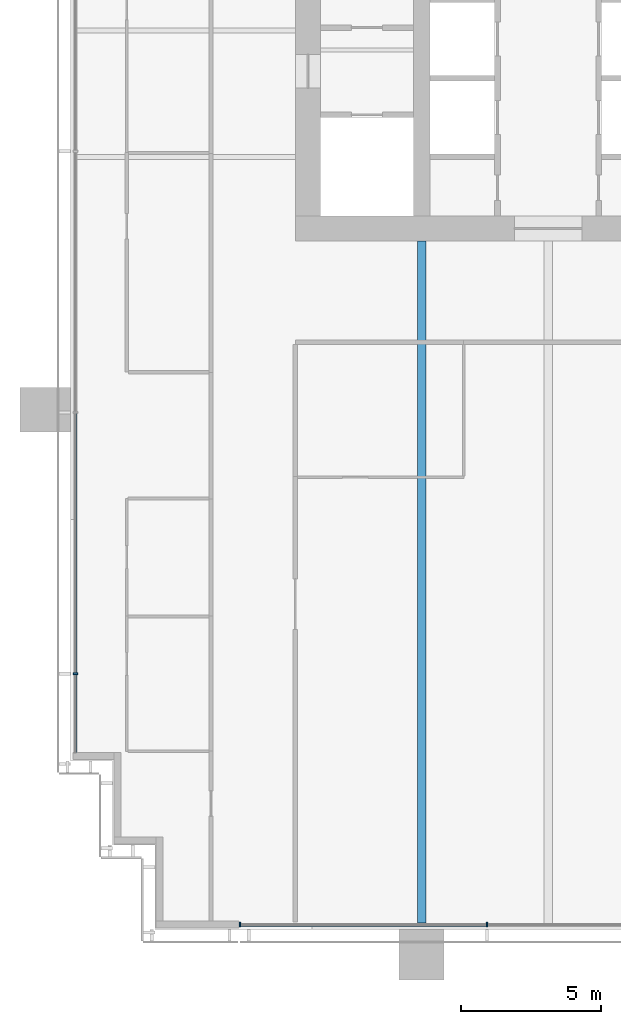
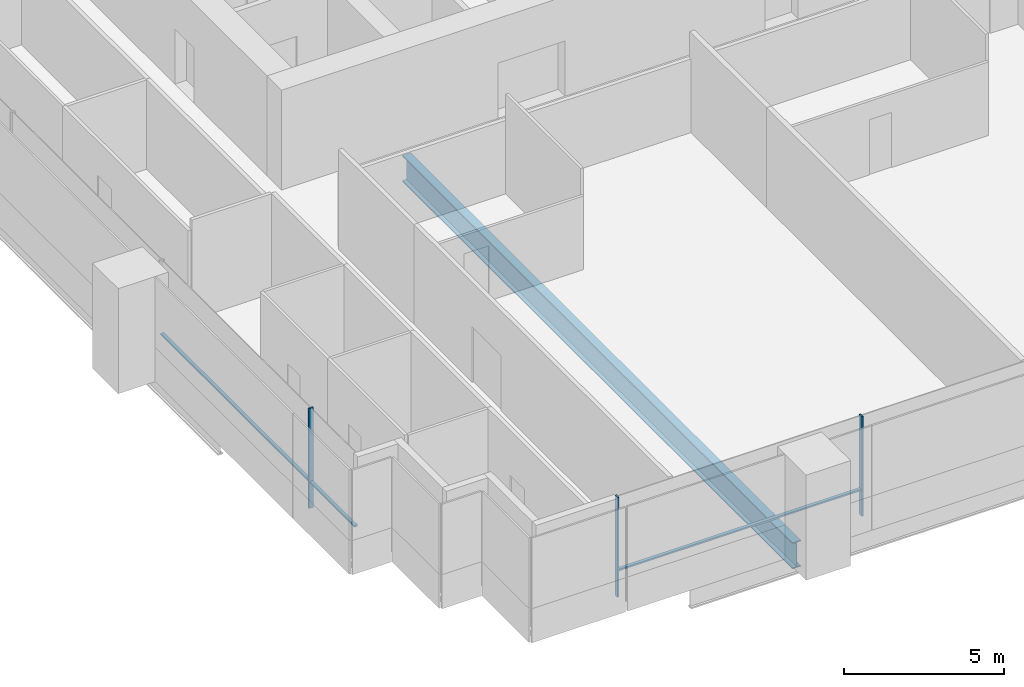
# One storey, part 2 of 19: 6 members, 1 beam, 2 elements without a shape of their own.
"""IFC4 building model written with IfcOpenShell, lengths in metres."""

from ifc_helpers import new_model, si_unit, direction, frame, origin, origin_2d, place, context, subcontext, project, spatial, rectangle, i_section, extrude, material, material_profile, profile_set, type_object, element, aggregate, save


model = new_model("IFC4")

# Units and contexts
model_context = context("Model", 3, precision=1e-05, world=origin(), true_north=direction((0.0, 1.0)))
body_context = subcontext(model_context, "Body", "Model", "MODEL_VIEW")
ifc_project = project(units=[si_unit("LENGTHUNIT", "METRE"), si_unit("AREAUNIT", "SQUARE_METRE"), si_unit("VOLUMEUNIT", "CUBIC_METRE"), si_unit("PLANEANGLEUNIT", "RADIAN"), si_unit("MASSUNIT", "GRAM", prefix="KILO")], contexts=[model_context])

# Site, building, storey
site_placement = place(None, origin())
site = spatial("IfcSite", under=ifc_project, at=site_placement, CompositionType="ELEMENT")
building_placement = place(site_placement, origin())
building = spatial("IfcBuilding", under=site, at=building_placement, Name="Rattan Terrace Tower", CompositionType="ELEMENT")
storey_placement = place(building_placement, frame((0.0, 0.0, 111.699951171875)))
storey = spatial("IfcBuildingStorey", under=building, at=storey_placement, Name="L25", CompositionType="ELEMENT", Elevation=111.699951171875)

# Curtain wall, member
ifc_material_1 = material(Name="Aluminium and glass", Category="aluminium")
curtain_wall_type = type_object("IfcCurtainWallType", Name="Facade Unitised Curtain Wall", PredefinedType="NOTDEFINED", material=ifc_material_1)
curtain_wall_1_placement = place(storey_placement, origin())
curtain_wall_1 = element("IfcCurtainWall", 1, at=curtain_wall_1_placement, inside=storey, type_object=curtain_wall_type, Name="Curtain wall L25-3", PredefinedType="NOTDEFINED")
ifc_material_2 = material(Name="Aluminium", Category="aluminium")
ifc_material_profile_1 = material_profile(ifc_material_2, rectangle(XDim=0.06005859375, YDim=0.159912109375, at=origin_2d()), Name="Aluminium 60x160")
ifc_profile_set_1 = profile_set([ifc_material_profile_1], Name="Aluminium")
member_type_1 = type_object("IfcMemberType", Name="Facade CW Mullion 60x160", PredefinedType="MULLION", material=ifc_profile_set_1)
member_1_placement = place(storey_placement, frame((-25.830078125, -22.89990234375, 0.0), z_axis=(0.0, 0.0, 1.0), x_axis=(0.0, -1.0, 0.0)))
member_1 = element("IfcMember", 2, at=member_1_placement, type_object=member_type_1, Name="Mullion cwl-L25-003.4", PredefinedType="MULLION", context=body_context, shape_type="SweptSolid", body=[
    extrude(rectangle(XDim=0.06005859375, YDim=0.159912109375, at=origin_2d()), origin(), (0.0, 0.0, 1.0), 3.800048828125),
])

# Curtain wall, members
curtain_wall_2_placement = place(storey_placement, origin())
curtain_wall_2 = element("IfcCurtainWall", 3, at=curtain_wall_2_placement, inside=storey, type_object=curtain_wall_type, Name="Curtain wall L25-4", PredefinedType="NOTDEFINED")
member_2_placement = place(storey_placement, frame((-19.969970703125, -31.830078125, 0.0), z_axis=(0.0, 0.0, 1.0), x_axis=(1.0, 0.0, 0.0)))
member_2 = element("IfcMember", 4, at=member_2_placement, type_object=member_type_1, Name="Mullion cwl-L25-004.1", PredefinedType="MULLION", context=body_context, shape_type="SweptSolid", body=[
    extrude(rectangle(XDim=0.06005859375, YDim=0.159912109375, at=origin_2d()), origin(), (0.0, 0.0, 1.0), 3.800048828125),
])
member_3_placement = place(storey_placement, frame((-11.177001953125, -31.830078125, 0.0), z_axis=(0.0, 0.0, 1.0), x_axis=(1.0, 0.0, 0.0)))
member_3 = element("IfcMember", 5, at=member_3_placement, type_object=member_type_1, Name="Mullion cwl-L25-004.2", PredefinedType="MULLION", context=body_context, shape_type="SweptSolid", body=[
    extrude(rectangle(XDim=0.06005859375, YDim=0.159912109375, at=origin_2d()), origin(), (0.0, 0.0, 1.0), 3.800048828125),
])

# Member
ifc_material_3 = material(Name="Aluminium", Category="aluminium")
ifc_material_profile_2 = material_profile(ifc_material_3, rectangle(XDim=0.1201171875, YDim=0.06005859375, at=origin_2d()), Name="Aluminium 120x60")
ifc_profile_set_2 = profile_set([ifc_material_profile_2], Name="Aluminium")
member_type_2 = type_object("IfcMemberType", Name="Facade CW Transom 120x60", PredefinedType="USERDEFINED", material=ifc_profile_set_2)
member_4_placement = place(storey_placement, frame((-25.830078125, -13.6298828125, 1.0), z_axis=(0.0, -1.0, 0.0), x_axis=(1.0, 0.0, 0.0)))
member_4 = element("IfcMember", 6, at=member_4_placement, type_object=member_type_2, Name="Transom cwl-L25-003.3", ObjectType="TRANSOM", PredefinedType="USERDEFINED", context=body_context, shape_type="SweptSolid", body=[
    extrude(rectangle(XDim=0.1201171875, YDim=0.06005859375, at=origin_2d()), origin(), (0.0, 0.0, 1.0), 9.240234375),
])

member_5_placement = place(storey_placement, frame((-25.830078125, -22.929931640625, 1.0), z_axis=(0.0, -1.0, 0.0), x_axis=(1.0, 0.0, 0.0)))
member_5 = element("IfcMember", 7, at=member_5_placement, type_object=member_type_2, Name="Transom cwl-L25-003.4", ObjectType="TRANSOM", PredefinedType="USERDEFINED", context=body_context, shape_type="SweptSolid", body=[
    extrude(rectangle(XDim=0.1201171875, YDim=0.06005859375, at=origin_2d()), origin(), (0.0, 0.0, 1.0), 2.775146484375),
])

aggregate(curtain_wall_1, [member_1, member_4, member_5])

member_6_placement = place(storey_placement, frame((-19.93994140625, -31.830078125, 1.0), z_axis=(1.0, 0.0, 0.0), x_axis=(0.0, 1.0, 0.0)))
member_6 = element("IfcMember", 8, at=member_6_placement, type_object=member_type_2, Name="Transom cwl-L25-004.1", ObjectType="TRANSOM", PredefinedType="USERDEFINED", context=body_context, shape_type="SweptSolid", body=[
    extrude(rectangle(XDim=0.1201171875, YDim=0.06005859375, at=origin_2d()), origin(), (0.0, 0.0, 1.0), 8.73291015625),
])

aggregate(curtain_wall_2, [member_2, member_3, member_6])

# Beam
ifc_material_4 = material(Name="Steel S460", Category="steel")
ifc_material_profile_3 = material_profile(ifc_material_4, i_section(OverallWidth=0.300048828125, OverallDepth=1.0, WebThickness=0.013916015625, FlangeThickness=0.0400390625, at=origin_2d()), Name="PG 1000x300-14-40")
ifc_profile_set_3 = profile_set([ifc_material_profile_3], Name="Steel S460")
beam_type = type_object("IfcBeamType", Name="Frame floor beam PG 1000x300-14-40", PredefinedType="JOIST", material=ifc_profile_set_3)
beam_placement = place(storey_placement, frame((-13.5, -31.820068359375, -0.699951171875), z_axis=(0.0, 1.0, 0.0), x_axis=(-1.0, 0.0, 0.0)))
element("IfcBeam", 9, at=beam_placement, inside=storey, type_object=beam_type, Name="bm-L25-003", PredefinedType="JOIST", context=body_context, shape_type="SweptSolid", body=[
    extrude(i_section(OverallWidth=0.300048828125, OverallDepth=1.0, WebThickness=0.013916015625, FlangeThickness=0.0400390625, at=origin_2d()), origin(), (0.0, 0.0, 1.0), 24.320068359375),
])

save(model, "model.ifc")
